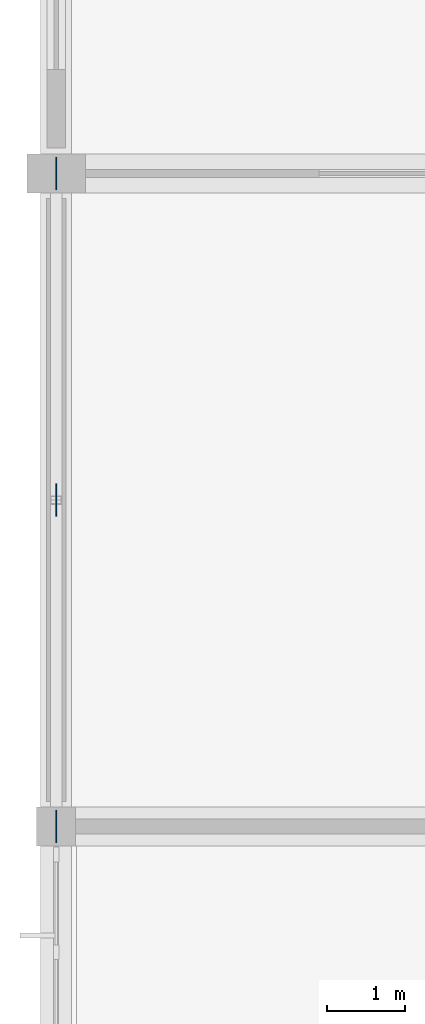
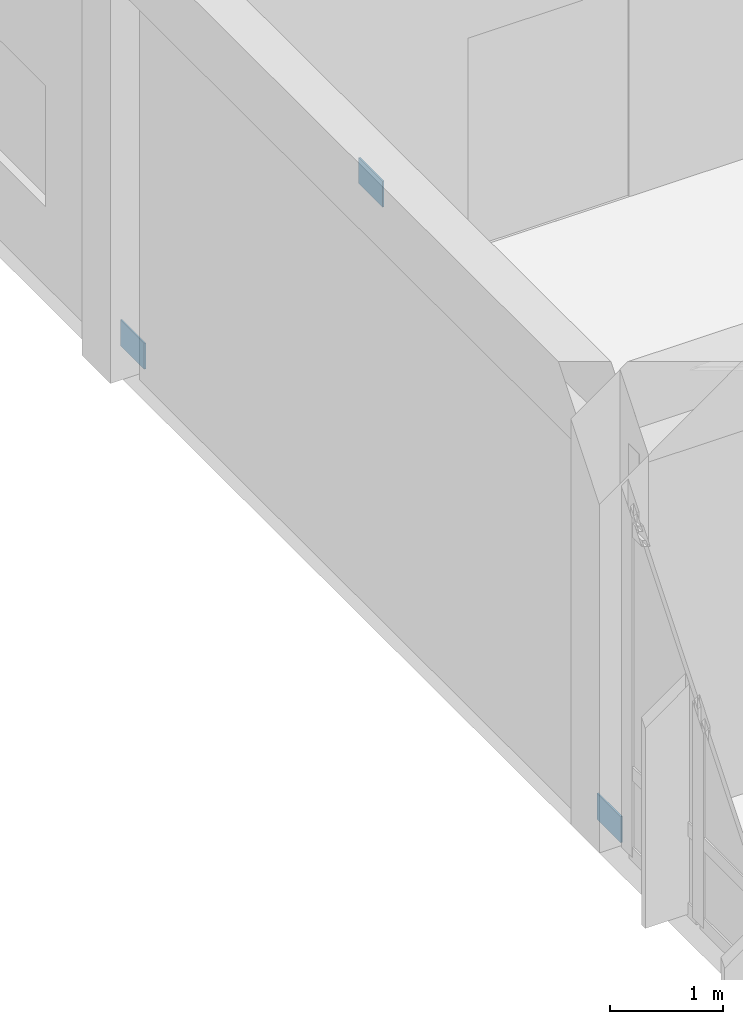
# One storey, part 89 of 134: 3 plates.
"""IFC4 building model written with IfcOpenShell, lengths in metres."""

from ifc_helpers import new_model, si_unit, direction, frame, origin, origin_2d, place, context, subcontext, project, spatial, rectangle, extrude, material, layer, layer_set, type_object, element, save


model = new_model("IFC4")

# Units and contexts
model_context = context("Model", 3, precision=1e-05, world=origin(), true_north=direction((0.0, 1.0)))
body_context = subcontext(model_context, "Body", "Model", "MODEL_VIEW")
ifc_project = project(units=[si_unit("LENGTHUNIT", "METRE"), si_unit("AREAUNIT", "SQUARE_METRE"), si_unit("VOLUMEUNIT", "CUBIC_METRE"), si_unit("PLANEANGLEUNIT", "RADIAN"), si_unit("MASSUNIT", "GRAM", prefix="KILO")], contexts=[model_context])

# Site, building, storey
site_placement = place(None, origin())
site = spatial("IfcSite", under=ifc_project, at=site_placement, CompositionType="ELEMENT")
building_placement = place(site_placement, origin())
building = spatial("IfcBuilding", under=site, at=building_placement, Name="Bramfleet General Hospital", CompositionType="ELEMENT")
storey_placement = place(building_placement, frame((0.0, 0.0, 9.300048828125)))
storey = spatial("IfcBuildingStorey", under=building, at=storey_placement, Name="L02", CompositionType="ELEMENT", Elevation=9.300048828125)

# Plates
ifc_material = material(Name="Steel S355", Category="steel")
ifc_layer = layer(ifc_material, 0.01611328125, Name="PL-GP-420")
ifc_layer_set = layer_set([ifc_layer], Name="Steel S355")
plate_type = type_object("IfcPlateType", Name="PL-GP-420", PredefinedType="USERDEFINED", material=ifc_layer_set)
for number, where, z_axis, x_axis, name in (
    (1, (0.0, 71.39990234375, 4.2900390625), (0.0, 0.0, 1.0), (1.0, 0.0, 0.0), "L02 Chevron Gusset Plate 9"),
    (2, (0.0, 67.199951171875, 0.0), (0.0, 0.0, 1.0), (1.0, 0.0, 0.0), "L02 Brace Foot Gusset Plate 9A"),
    (3, (0.0, 75.60009765625, 0.0), (0.0, 0.0, 1.0), (1.0, 0.0, 0.0), "L02 Brace Foot Gusset Plate 9B"),
):
    element("IfcPlate", number, at=place(storey_placement, frame(where, z_axis=z_axis, x_axis=x_axis)), inside=storey, type_object=plate_type, Name=name, ObjectType="Gusset plate", PredefinedType="USERDEFINED", context=body_context, shape_type="SweptSolid", body=[
        extrude(rectangle(XDim=0.01611328125, YDim=0.419921875, at=origin_2d()), origin(), (0.0, 0.0, 1.0), 0.280029296875),
    ])

save(model, "model.ifc")
